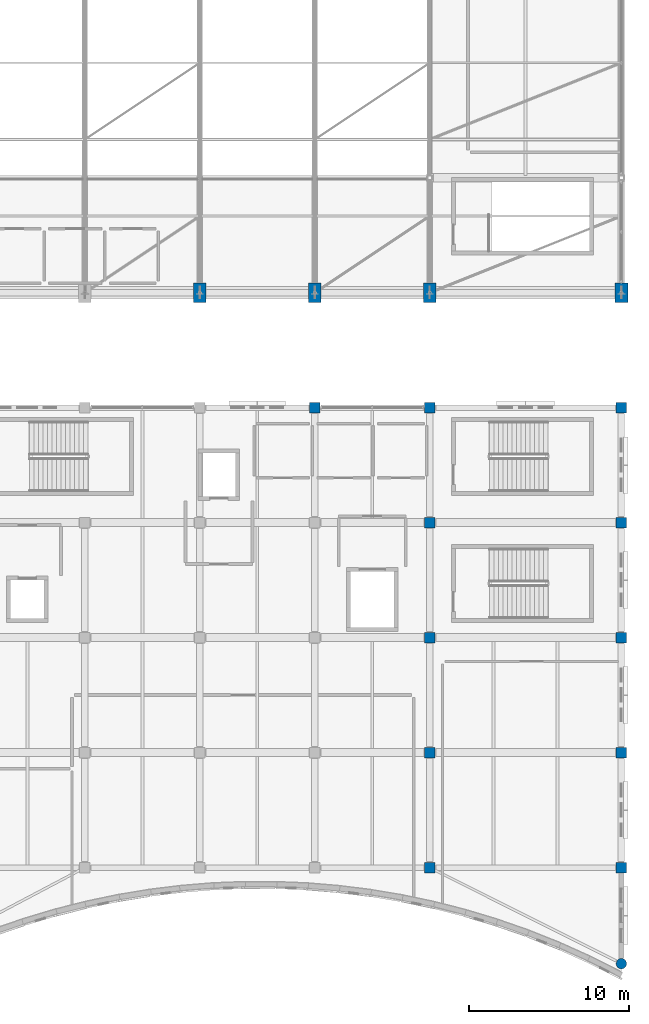
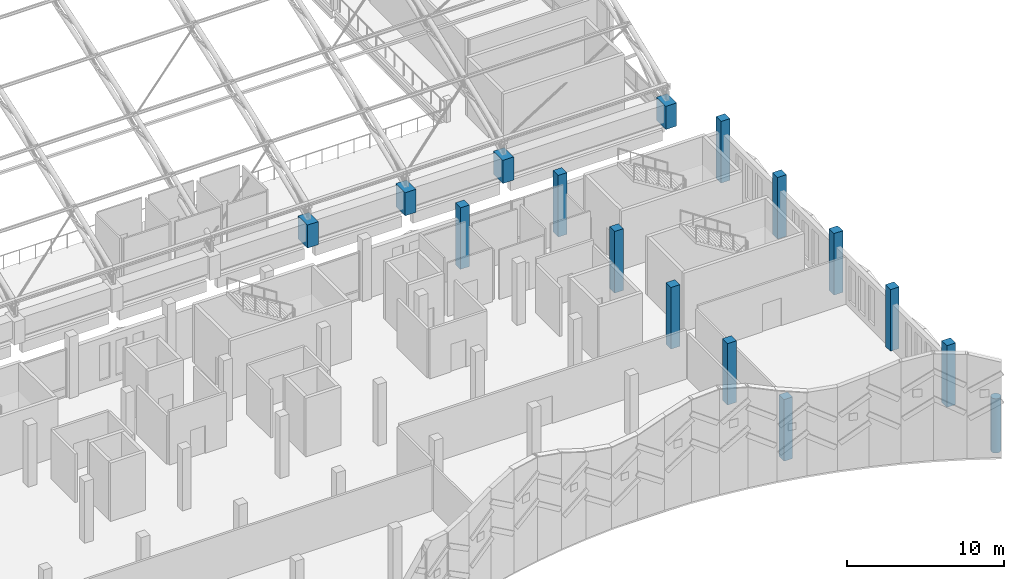
# One storey, part 5 of 116: 16 columns.
"""IFC4 building model written with IfcOpenShell, lengths in metres."""

from ifc_helpers import new_model, si_unit, direction, frame, origin, origin_2d, place, context, subcontext, project, spatial, rectangle, circle, extrude, material, material_profile, profile_set, type_object, element, save


model = new_model("IFC4")

# Units and contexts
model_context = context("Model", 3, precision=1e-05, world=origin(), true_north=direction((0.0, 1.0)))
body_context = subcontext(model_context, "Body", "Model", "MODEL_VIEW")
ifc_project = project(units=[si_unit("LENGTHUNIT", "METRE"), si_unit("AREAUNIT", "SQUARE_METRE"), si_unit("VOLUMEUNIT", "CUBIC_METRE"), si_unit("PLANEANGLEUNIT", "RADIAN"), si_unit("MASSUNIT", "GRAM", prefix="KILO")], contexts=[model_context])

# Site, building, storey
site_placement = place(None, origin())
site = spatial("IfcSite", under=ifc_project, at=site_placement, CompositionType="ELEMENT")
building_placement = place(site_placement, origin())
building = spatial("IfcBuilding", under=site, at=building_placement, Name="Cendralis Lancet Convention Centre", CompositionType="ELEMENT")
storey_placement = place(building_placement, frame((0.0, 0.0, 15.0)))
storey = spatial("IfcBuildingStorey", under=building, at=storey_placement, Name="L03", CompositionType="ELEMENT", Elevation=15.0)

# Columns
ifc_material = material(Name="Concrete G40 (C40/50)", Category="concrete")
ifc_material_profile_1 = material_profile(ifc_material, rectangle(XDim=0.64990234375, YDim=0.64990234375, at=origin_2d()), Name="RC 650x650")
ifc_profile_set_1 = profile_set([ifc_material_profile_1], Name="Concrete G40 (C40/50)")
column_type_1 = type_object("IfcColumnType", Name="STR-COL-C08", PredefinedType="COLUMN", material=ifc_profile_set_1)
for number, where, z_axis, x_axis, name in (
    (1, (189.60009765625, 36.0, 0.0), (0.0, 0.0, 1.0), (1.0, 0.0, 0.0), "L03 Column C08 at 189.6,36.0"),
    (2, (196.800048828125, 36.0, 0.0), (0.0, 0.0, 1.0), (1.0, 0.0, 0.0), "L03 Column C08 at 196.8,36.0"),
    (3, (208.800048828125, 7.199951171875, 0.0), (0.0, 0.0, 1.0), (1.0, 0.0, 0.0), "L03 Column C08 at 208.8,7.2"),
    (4, (208.800048828125, 14.39990234375, 0.0), (0.0, 0.0, 1.0), (1.0, 0.0, 0.0), "L03 Column C08 at 208.8,14.4"),
    (5, (208.800048828125, 21.60009765625, 0.0), (0.0, 0.0, 1.0), (1.0, 0.0, 0.0), "L03 Column C08 at 208.8,21.6"),
    (6, (208.800048828125, 28.800048828125, 0.0), (0.0, 0.0, 1.0), (1.0, 0.0, 0.0), "L03 Column C08 at 208.8,28.8"),
    (7, (208.800048828125, 36.0, 0.0), (0.0, 0.0, 1.0), (1.0, 0.0, 0.0), "L03 Column C08 at 208.8,36.0"),
):
    element("IfcColumn", number, at=place(storey_placement, frame(where, z_axis=z_axis, x_axis=x_axis)), inside=storey, type_object=column_type_1, Name=name, PredefinedType="COLUMN", context=body_context, shape_type="SweptSolid", body=[
        extrude(rectangle(XDim=0.64990234375, YDim=0.64990234375, at=origin_2d()), origin(), (0.0, 0.0, 1.0), 4.800048828125),
    ])
ifc_material_profile_2 = material_profile(ifc_material, rectangle(XDim=0.64990234375, YDim=0.64990234375, at=origin_2d()), Name="RC 650x650")
ifc_profile_set_2 = profile_set([ifc_material_profile_2], Name="Concrete G40 (C40/50)")
column_type_2 = type_object("IfcColumnType", Name="STR-COL-C08-INT", PredefinedType="COLUMN", material=ifc_profile_set_2)
for number, where, z_axis, x_axis, name in (
    (8, (196.800048828125, 7.199951171875, 0.0), (0.0, 0.0, 1.0), (1.0, 0.0, 0.0), "L03 Column C08 at 196.8,7.2"),
    (9, (196.800048828125, 14.39990234375, 0.0), (0.0, 0.0, 1.0), (1.0, 0.0, 0.0), "L03 Column C08 at 196.8,14.4"),
    (10, (196.800048828125, 21.60009765625, 0.0), (0.0, 0.0, 1.0), (1.0, 0.0, 0.0), "L03 Column C08 at 196.8,21.6"),
    (11, (196.800048828125, 28.800048828125, 0.0), (0.0, 0.0, 1.0), (1.0, 0.0, 0.0), "L03 Column C08 at 196.8,28.8"),
):
    element("IfcColumn", number, at=place(storey_placement, frame(where, z_axis=z_axis, x_axis=x_axis)), inside=storey, type_object=column_type_2, Name=name, PredefinedType="COLUMN", context=body_context, shape_type="SweptSolid", body=[
        extrude(rectangle(XDim=0.64990234375, YDim=0.64990234375, at=origin_2d()), origin(), (0.0, 0.0, 1.0), 4.800048828125),
    ])
ifc_material_profile_3 = material_profile(ifc_material, rectangle(XDim=0.800048828125, YDim=1.199951171875, at=origin_2d()), Name="RC 800x1200")
ifc_profile_set_3 = profile_set([ifc_material_profile_3], Name="Concrete G40 (C40/50)")
column_type_3 = type_object("IfcColumnType", Name="STR-COL-C15", PredefinedType="COLUMN", material=ifc_profile_set_3)
for number, where, z_axis, x_axis, name in (
    (12, (182.39990234375, 43.199951171875, 0.0), (0.0, 0.0, 1.0), (1.0, 0.0, 0.0), "L03 Column C15 at 182.4,43.2"),
    (13, (189.60009765625, 43.199951171875, 0.0), (0.0, 0.0, 1.0), (1.0, 0.0, 0.0), "L03 Column C15 at 189.6,43.2"),
    (14, (196.800048828125, 43.199951171875, 0.0), (0.0, 0.0, 1.0), (1.0, 0.0, 0.0), "L03 Column C15 at 196.8,43.2"),
    (15, (208.800048828125, 43.199951171875, 0.0), (0.0, 0.0, 1.0), (1.0, 0.0, 0.0), "L03 Column C15 at 208.8,43.2"),
):
    element("IfcColumn", number, at=place(storey_placement, frame(where, z_axis=z_axis, x_axis=x_axis)), inside=storey, type_object=column_type_3, Name=name, PredefinedType="COLUMN", context=body_context, shape_type="SweptSolid", body=[
        extrude(rectangle(XDim=0.800048828125, YDim=1.199951171875, at=origin_2d()), origin(), (0.0, 0.0, 1.0), 1.800048828125),
    ])
ifc_material_profile_4 = material_profile(ifc_material, circle(Radius=0.324951171875, at=origin_2d()), Name="RC D650")
ifc_profile_set_4 = profile_set([ifc_material_profile_4], Name="Concrete G40 (C40/50)")
column_type_4 = type_object("IfcColumnType", Name="STR-COL-C19", PredefinedType="COLUMN", material=ifc_profile_set_4)
column_placement = place(storey_placement, frame((208.800048828125, 1.183837890625, 0.0), z_axis=(0.0, 0.0, 1.0), x_axis=(1.0, 0.0, 0.0)))
element("IfcColumn", 16, at=column_placement, inside=storey, type_object=column_type_4, Name="L03 Column C19 at 208.8,1.2", PredefinedType="COLUMN", context=body_context, shape_type="SweptSolid", body=[
    extrude(circle(Radius=0.324951171875, at=origin_2d()), origin(), (0.0, 0.0, 1.0), 4.22998046875),
])

save(model, "model.ifc")
